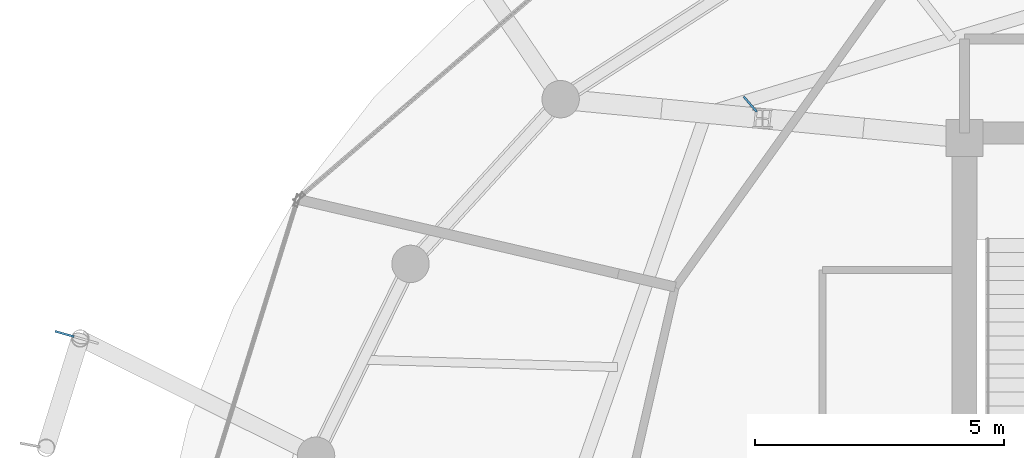
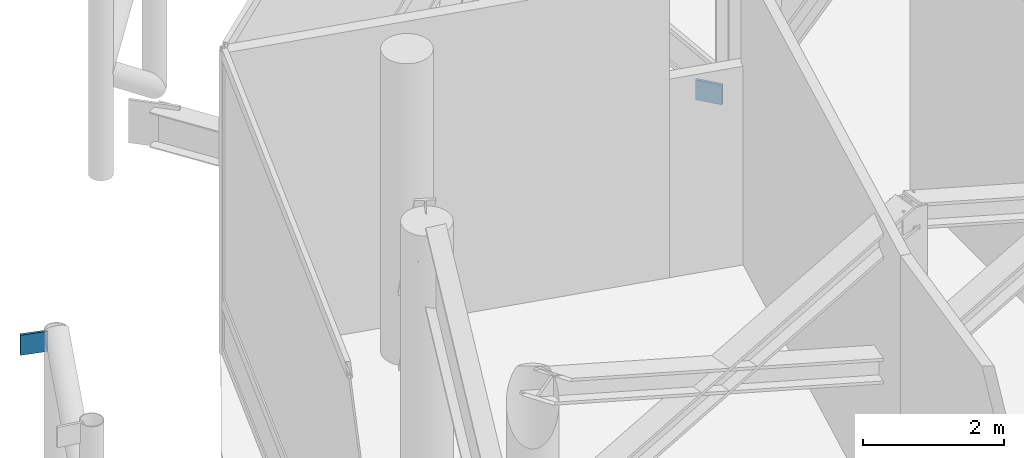
# One storey, part 22 of 26: 2 discrete accessories.
"""IFC4 building model written with IfcOpenShell, lengths in metres."""

from ifc_helpers import new_model, si_unit, direction, frame, origin, origin_2d, place, context, subcontext, project, spatial, rectangle, extrude, material, type_object, element, save


model = new_model("IFC4")

# Units and contexts
model_context = context("Model", 3, precision=1e-05, world=origin(), true_north=direction((0.0, 1.0)))
body_context = subcontext(model_context, "Body", "Model", "MODEL_VIEW")
ifc_project = project(units=[si_unit("LENGTHUNIT", "METRE"), si_unit("AREAUNIT", "SQUARE_METRE"), si_unit("VOLUMEUNIT", "CUBIC_METRE"), si_unit("PLANEANGLEUNIT", "RADIAN"), si_unit("MASSUNIT", "GRAM", prefix="KILO")], contexts=[model_context])

# Site, building, storey
site_placement = place(None, origin())
site = spatial("IfcSite", under=ifc_project, at=site_placement, CompositionType="ELEMENT")
building_placement = place(site_placement, origin())
building = spatial("IfcBuilding", under=site, at=building_placement, Name="Nuhasar Tower", CompositionType="ELEMENT")
storey_placement = place(building_placement, frame((0.0, 0.0, 301.199951171875)))
storey = spatial("IfcBuildingStorey", under=building, at=storey_placement, Name="L75", CompositionType="ELEMENT", Elevation=301.199951171875)

# Discrete accessories
ifc_material = material(Name="Steel S460", Category="steel")
discrete_accessory_type = type_object("IfcDiscreteAccessoryType", Name="ACC-GUS-40", PredefinedType="USERDEFINED", material=ifc_material)
for number, where, z_axis, x_axis, name in (
    (1, (15.65087890625, 33.3701171875, 3.25), (0.0, 0.0, 1.0), (-0.962620870405, 0.27085246881, 0.0), "L75 Exoskeleton Chord Column EC-06A Gusset Plate"),
    (2, (29.402099609375, 37.97705078125, 0.0), (0.0, 0.0, 1.0), (-0.651463041935, 0.758680370771, 0.0), "L75 Outrigger Truss Post 07 Gusset Plate"),
):
    element("IfcDiscreteAccessory", number, at=place(storey_placement, frame(where, z_axis=z_axis, x_axis=x_axis)), inside=storey, type_object=discrete_accessory_type, Name=name, ObjectType="STEEL_GUSSET_PLATE", PredefinedType="USERDEFINED", context=body_context, shape_type="SweptSolid", body=[
        extrude(rectangle(XDim=0.39990234375, YDim=0.0400390625, at=origin_2d()), origin(), (0.0, 0.0, 1.0), 0.35009765625),
    ])

save(model, "model.ifc")
